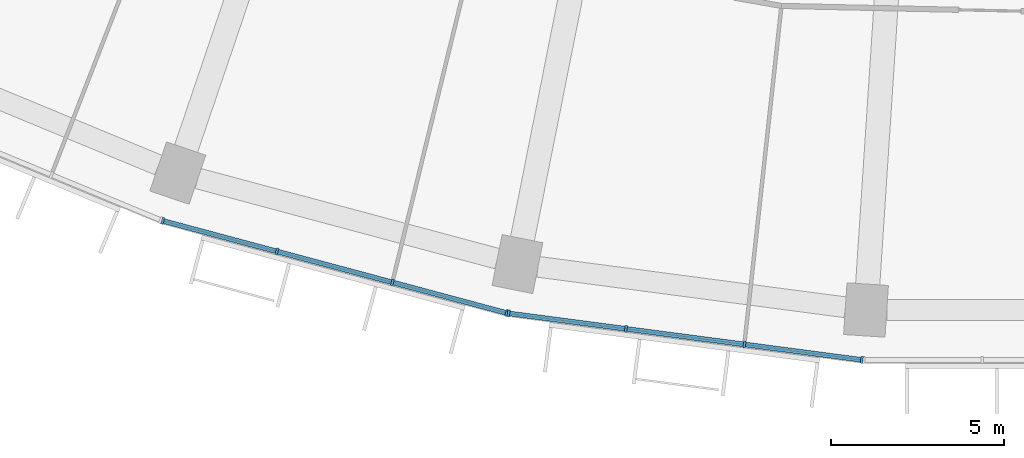
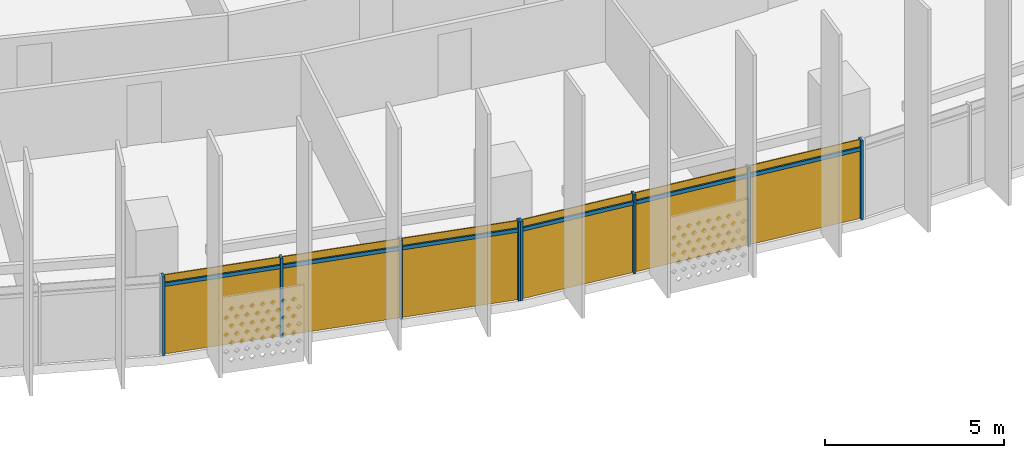
# One storey, part 19 of 30: 14 members, 2 curtain walls.
"""IFC4 building model written with IfcOpenShell, lengths in metres."""

from ifc_helpers import new_model, si_unit, direction, frame, origin, origin_2d, place, context, subcontext, project, spatial, rectangle, extrude, material, material_profile, profile_set, type_object, element, aggregate, save


model = new_model("IFC4")

# Units and contexts
model_context = context("Model", 3, precision=1e-05, world=origin(), true_north=direction((0.0, 1.0)))
body_context = subcontext(model_context, "Body", "Model", "MODEL_VIEW")
ifc_project = project(units=[si_unit("LENGTHUNIT", "METRE"), si_unit("AREAUNIT", "SQUARE_METRE"), si_unit("VOLUMEUNIT", "CUBIC_METRE"), si_unit("PLANEANGLEUNIT", "RADIAN"), si_unit("MASSUNIT", "GRAM", prefix="KILO")], contexts=[model_context])

# Member
ifc_material = material(Name="Aluminium 6063-T6 anodised", Category="aluminium")
ifc_material_profile_1 = material_profile(ifc_material, rectangle(XDim=0.199951171875, YDim=0.070068359375, at=origin_2d()))
ifc_profile_set_1 = profile_set([ifc_material_profile_1], Name="Aluminium 6063-T6 anodised")
member_type_1 = type_object("IfcMemberType", Name="Mullion 70 x 200 aluminium", PredefinedType="MULLION", material=ifc_profile_set_1)
site_placement = place(None, origin())
building_placement = place(site_placement, origin())
storey_placement = place(building_placement, frame((0.0, 0.0, 117.699951171875)))
member_1_placement = place(storey_placement, frame((-25.430419921875, -75.00390625, 0.0), z_axis=(0.0, 0.0, 1.0), x_axis=(0.258819045103, 0.965925826289, 0.0)))
member_1 = element("IfcMember", 1, at=member_1_placement, type_object=member_type_1, Name="e-cw1-L26-out07/M00", PredefinedType="MULLION", context=body_context, shape_type="SweptSolid", body=[
    extrude(rectangle(XDim=0.199951171875, YDim=0.070068359375, at=origin_2d()), origin(), (0.0, 0.0, 1.0), 2.699951171875),
])

member_2_placement = place(storey_placement, frame((-22.12451171875, -75.889892578125, 0.0), z_axis=(0.0, 0.0, 1.0), x_axis=(0.258819045103, 0.965925826289, 0.0)))
member_2 = element("IfcMember", 2, at=member_2_placement, type_object=member_type_1, Name="e-cw1-L26-out07/M01", PredefinedType="MULLION", context=body_context, shape_type="SweptSolid", body=[
    extrude(rectangle(XDim=0.199951171875, YDim=0.070068359375, at=origin_2d()), origin(), (0.0, 0.0, 1.0), 2.699951171875),
])

member_3_placement = place(storey_placement, frame((-18.78466796875, -76.78466796875, 0.0), z_axis=(0.0, 0.0, 1.0), x_axis=(0.258819045103, 0.965925826289, 0.0)))
member_3 = element("IfcMember", 3, at=member_3_placement, type_object=member_type_1, Name="e-cw1-L26-out07/M02", PredefinedType="MULLION", context=body_context, shape_type="SweptSolid", body=[
    extrude(rectangle(XDim=0.199951171875, YDim=0.070068359375, at=origin_2d()), origin(), (0.0, 0.0, 1.0), 2.699951171875),
])

member_4_placement = place(storey_placement, frame((-15.478515625, -77.670654296875, 0.0), z_axis=(0.0, 0.0, 1.0), x_axis=(0.258819045103, 0.965925826289, 0.0)))
member_4 = element("IfcMember", 4, at=member_4_placement, type_object=member_type_1, Name="e-cw1-L26-out07/M03", PredefinedType="MULLION", context=body_context, shape_type="SweptSolid", body=[
    extrude(rectangle(XDim=0.199951171875, YDim=0.070068359375, at=origin_2d()), origin(), (0.0, 0.0, 1.0), 2.699951171875),
])

member_5_placement = place(storey_placement, frame((-15.4228515625, -77.681640625, 0.0), z_axis=(0.0, 0.0, 1.0), x_axis=(0.13052619222, 0.991444861374, 0.0)))
member_5 = element("IfcMember", 5, at=member_5_placement, type_object=member_type_1, Name="e-cw1-L26-out08/M00", PredefinedType="MULLION", context=body_context, shape_type="SweptSolid", body=[
    extrude(rectangle(XDim=0.199951171875, YDim=0.070068359375, at=origin_2d()), origin(), (0.0, 0.0, 1.0), 2.699951171875),
])

member_6_placement = place(storey_placement, frame((-12.029541015625, -78.12841796875, 0.0), z_axis=(0.0, 0.0, 1.0), x_axis=(0.13052619222, 0.991444861374, 0.0)))
member_6 = element("IfcMember", 6, at=member_6_placement, type_object=member_type_1, Name="e-cw1-L26-out08/M01", PredefinedType="MULLION", context=body_context, shape_type="SweptSolid", body=[
    extrude(rectangle(XDim=0.199951171875, YDim=0.070068359375, at=origin_2d()), origin(), (0.0, 0.0, 1.0), 2.699951171875),
])

member_7_placement = place(storey_placement, frame((-8.6015625, -78.579833984375, 0.0), z_axis=(0.0, 0.0, 1.0), x_axis=(0.13052619222, 0.991444861374, 0.0)))
member_7 = element("IfcMember", 7, at=member_7_placement, type_object=member_type_1, Name="e-cw1-L26-out08/M02", PredefinedType="MULLION", context=body_context, shape_type="SweptSolid", body=[
    extrude(rectangle(XDim=0.199951171875, YDim=0.070068359375, at=origin_2d()), origin(), (0.0, 0.0, 1.0), 2.699951171875),
])

member_8_placement = place(storey_placement, frame((-5.2080078125, -79.026611328125, 0.0), z_axis=(0.0, 0.0, 1.0), x_axis=(0.13052619222, 0.991444861374, 0.0)))
member_8 = element("IfcMember", 8, at=member_8_placement, type_object=member_type_1, Name="e-cw1-L26-out08/M03", PredefinedType="MULLION", context=body_context, shape_type="SweptSolid", body=[
    extrude(rectangle(XDim=0.199951171875, YDim=0.070068359375, at=origin_2d()), origin(), (0.0, 0.0, 1.0), 2.699951171875),
])

ifc_material_profile_2 = material_profile(ifc_material, rectangle(XDim=0.139892578125, YDim=0.1201171875, at=origin_2d()))
ifc_profile_set_2 = profile_set([ifc_material_profile_2], Name="Aluminium 6063-T6 anodised")
member_type_2 = type_object("IfcMemberType", Name="Transom 120 x 140 aluminium", PredefinedType="USERDEFINED", material=ifc_profile_set_2)
member_9_placement = place(storey_placement, frame((-25.396728515625, -75.01318359375, 2.400146484375), z_axis=(0.965932125453, -0.258795535157, 0.0), x_axis=(0.258795535157, 0.965932125453, 0.0)))
member_9 = element("IfcMember", 9, at=member_9_placement, type_object=member_type_2, Name="e-cw1-L26-out07/T00", ObjectType="TRANSOM", PredefinedType="USERDEFINED", context=body_context, shape_type="SweptSolid", body=[
    extrude(rectangle(XDim=0.139892578125, YDim=0.1201171875, at=origin_2d()), origin(), (0.0, 0.0, 1.0), 3.352783203125),
])

member_10_placement = place(storey_placement, frame((-22.090576171875, -75.89892578125, 2.400146484375), z_axis=(0.965931646033, -0.258797324547, 0.0), x_axis=(0.258797324547, 0.965931646033, 0.0)))
member_10 = element("IfcMember", 10, at=member_10_placement, type_object=member_type_2, Name="e-cw1-L26-out07/T01", ObjectType="TRANSOM", PredefinedType="USERDEFINED", context=body_context, shape_type="SweptSolid", body=[
    extrude(rectangle(XDim=0.139892578125, YDim=0.1201171875, at=origin_2d()), origin(), (0.0, 0.0, 1.0), 3.3876953125),
])

member_11_placement = place(storey_placement, frame((-18.750732421875, -76.7939453125, 2.400146484375), z_axis=(0.965927247937, -0.258813739382, 0.0), x_axis=(0.258813739382, 0.965927247937, 0.0)))
member_11 = element("IfcMember", 11, at=member_11_placement, type_object=member_type_2, Name="e-cw1-L26-out07/T02", ObjectType="TRANSOM", PredefinedType="USERDEFINED", context=body_context, shape_type="SweptSolid", body=[
    extrude(rectangle(XDim=0.139892578125, YDim=0.1201171875, at=origin_2d()), origin(), (0.0, 0.0, 1.0), 3.3525390625),
])

member_12_placement = place(storey_placement, frame((-15.38818359375, -77.686279296875, 2.400146484375), z_axis=(0.991449089759, -0.130494070426, 0.0), x_axis=(0.130494070426, 0.991449089759, 0.0)))
member_12 = element("IfcMember", 12, at=member_12_placement, type_object=member_type_2, Name="e-cw1-L26-out08/T00", ObjectType="TRANSOM", PredefinedType="USERDEFINED", context=body_context, shape_type="SweptSolid", body=[
    extrude(rectangle(XDim=0.139892578125, YDim=0.1201171875, at=origin_2d()), origin(), (0.0, 0.0, 1.0), 3.3525390625),
])

member_13_placement = place(storey_placement, frame((-11.994873046875, -78.133056640625, 2.400146484375), z_axis=(0.991446198807, -0.130516033004, 0.0), x_axis=(0.130516033004, 0.991446198807, 0.0)))
member_13 = element("IfcMember", 13, at=member_13_placement, type_object=member_type_2, Name="e-cw1-L26-out08/T01", ObjectType="TRANSOM", PredefinedType="USERDEFINED", context=body_context, shape_type="SweptSolid", body=[
    extrude(rectangle(XDim=0.139892578125, YDim=0.1201171875, at=origin_2d()), origin(), (0.0, 0.0, 1.0), 3.3876953125),
])

member_14_placement = place(storey_placement, frame((-8.56689453125, -78.584228515625, 2.400146484375), z_axis=(0.991439665896, -0.130565649721, 0.0), x_axis=(0.130565649721, 0.991439665896, 0.0)))
member_14 = element("IfcMember", 14, at=member_14_placement, type_object=member_type_2, Name="e-cw1-L26-out08/T02", ObjectType="TRANSOM", PredefinedType="USERDEFINED", context=body_context, shape_type="SweptSolid", body=[
    extrude(rectangle(XDim=0.139892578125, YDim=0.1201171875, at=origin_2d()), origin(), (0.0, 0.0, 1.0), 3.352783203125),
])

# Site, building, storey
site = spatial("IfcSite", under=ifc_project, at=site_placement, CompositionType="ELEMENT")
building = spatial("IfcBuilding", under=site, at=building_placement, Name="Qamariyya Broadcast Tower", CompositionType="ELEMENT")
storey = spatial("IfcBuildingStorey", under=building, at=storey_placement, Name="L26", CompositionType="ELEMENT", Elevation=117.699951171875)

# Curtain wall
curtain_wall_type = type_object("IfcCurtainWallType", Name="Unitised curtain wall, anodised aluminium", PredefinedType="NOTDEFINED", material=ifc_material)
curtain_wall_1_placement = place(storey_placement, origin())
curtain_wall_1 = element("IfcCurtainWall", 15, at=curtain_wall_1_placement, inside=storey, type_object=curtain_wall_type, Name="e-cw1-L26-out07", PredefinedType="NOTDEFINED", context=body_context, shape_type="SweptSolid", body=[
    extrude(rectangle(XDim=3.352783203125, YDim=0.031982421875, at=origin_2d()), frame((-23.777587890625, -75.44677734375, 0.0), x_axis=(0.965923677743, -0.258827063454, 0.0)), (0.0, 0.0, 1.0), 2.340087890625),
    extrude(rectangle(XDim=3.352783203125, YDim=0.031982421875, at=origin_2d()), frame((-23.777587890625, -75.44677734375, 2.4599609375), x_axis=(0.965923677743, -0.258827063454, 0.0)), (0.0, 0.0, 1.0), 0.239990234375),
    extrude(rectangle(XDim=3.3876953125, YDim=0.031982421875, at=origin_2d()), frame((-20.45458984375, -76.33740234375, 0.0), x_axis=(0.965923677743, -0.258827063454, 0.0)), (0.0, 0.0, 1.0), 2.340087890625),
    extrude(rectangle(XDim=3.3876953125, YDim=0.031982421875, at=origin_2d()), frame((-20.45458984375, -76.33740234375, 2.4599609375), x_axis=(0.965923677743, -0.258827063454, 0.0)), (0.0, 0.0, 1.0), 0.239990234375),
    extrude(rectangle(XDim=3.352783203125, YDim=0.031982421875, at=origin_2d()), frame((-17.131591796875, -77.227783203125, 0.0), x_axis=(0.965923677743, -0.258827063454, 0.0)), (0.0, 0.0, 1.0), 2.340087890625),
    extrude(rectangle(XDim=3.352783203125, YDim=0.031982421875, at=origin_2d()), frame((-17.131591796875, -77.227783203125, 2.4599609375), x_axis=(0.965923677743, -0.258827063454, 0.0)), (0.0, 0.0, 1.0), 0.239990234375),
])

aggregate(curtain_wall_1, [member_1, member_2, member_3, member_4, member_9, member_10, member_11])

curtain_wall_2_placement = place(storey_placement, origin())
curtain_wall_2 = element("IfcCurtainWall", 16, at=curtain_wall_2_placement, inside=storey, type_object=curtain_wall_type, Name="e-cw1-L26-out08", PredefinedType="NOTDEFINED", context=body_context, shape_type="SweptSolid", body=[
    extrude(rectangle(XDim=3.3525390625, YDim=0.031982421875, at=origin_2d()), frame((-13.72607421875, -77.9052734375, 0.0), x_axis=(0.991447084105, -0.13050930779, 0.0)), (0.0, 0.0, 1.0), 2.340087890625),
    extrude(rectangle(XDim=3.3525390625, YDim=0.031982421875, at=origin_2d()), frame((-13.72607421875, -77.9052734375, 2.4599609375), x_axis=(0.991447084105, -0.13050930779, 0.0)), (0.0, 0.0, 1.0), 0.239990234375),
    extrude(rectangle(XDim=3.3876953125, YDim=0.031982421875, at=origin_2d()), frame((-10.3154296875, -78.35400390625, 0.0), x_axis=(0.991447084105, -0.13050930779, 0.0)), (0.0, 0.0, 1.0), 2.340087890625),
    extrude(rectangle(XDim=3.3876953125, YDim=0.031982421875, at=origin_2d()), frame((-10.3154296875, -78.35400390625, 2.4599609375), x_axis=(0.991447084105, -0.13050930779, 0.0)), (0.0, 0.0, 1.0), 0.239990234375),
    extrude(rectangle(XDim=3.3525390625, YDim=0.031982421875, at=origin_2d()), frame((-6.90478515625, -78.802978515625, 0.0), x_axis=(0.991447084105, -0.13050930779, 0.0)), (0.0, 0.0, 1.0), 2.340087890625),
    extrude(rectangle(XDim=3.3525390625, YDim=0.031982421875, at=origin_2d()), frame((-6.90478515625, -78.802978515625, 2.4599609375), x_axis=(0.991447084105, -0.13050930779, 0.0)), (0.0, 0.0, 1.0), 0.239990234375),
])

aggregate(curtain_wall_2, [member_5, member_6, member_7, member_8, member_12, member_13, member_14])

save(model, "model.ifc")
